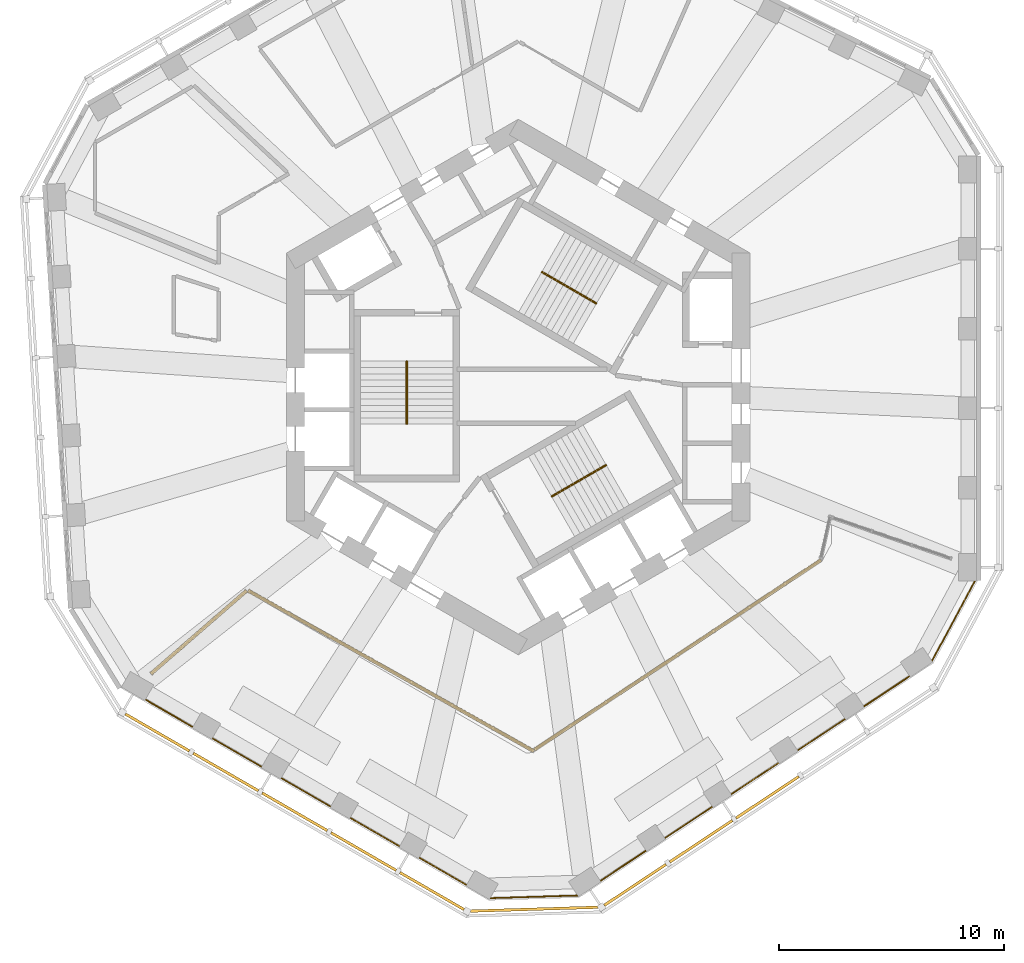
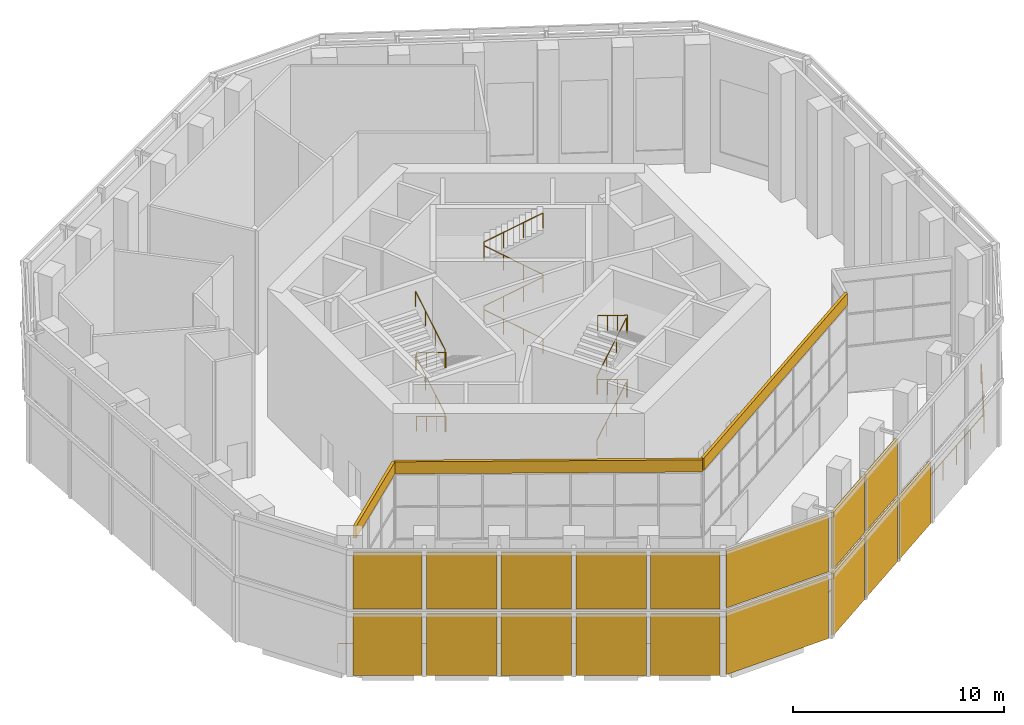
# One storey, part 15 of 17: 17 shading devices, 4 railings, 3 coverings.
"""IFC4 building model written with IfcOpenShell, lengths in metres."""

from ifc_helpers import new_model, si_unit, direction, frame, origin, origin_2d, place, context, subcontext, project, spatial, rectangle, circle, extrude, material, layer, layer_set, type_object, element, save


model = new_model("IFC4")

# Units and contexts
model_context = context("Model", 3, precision=1e-05, world=origin(), true_north=direction((0.0, 1.0)))
body_context = subcontext(model_context, "Body", "Model", "MODEL_VIEW")
ifc_project = project(units=[si_unit("LENGTHUNIT", "METRE"), si_unit("AREAUNIT", "SQUARE_METRE"), si_unit("VOLUMEUNIT", "CUBIC_METRE"), si_unit("PLANEANGLEUNIT", "RADIAN"), si_unit("MASSUNIT", "GRAM", prefix="KILO")], contexts=[model_context])

# Site, building, storey
site_placement = place(None, origin())
site = spatial("IfcSite", under=ifc_project, at=site_placement, CompositionType="ELEMENT")
building_placement = place(site_placement, origin())
building = spatial("IfcBuilding", under=site, at=building_placement, Name="Vanh Sen Convention Tower", CompositionType="ELEMENT")
storey_placement = place(building_placement, frame((0.0, 0.0, 214.300048828125)))
storey = spatial("IfcBuildingStorey", under=building, at=storey_placement, Name="L53", CompositionType="ELEMENT", Elevation=214.300048828125)

# Railings
ifc_material_1 = material(Name="Stainless steel posts with toughened glass infill", Category="steel")
railing_type_1 = type_object("IfcRailingType", Name="Garden guard 1150", PredefinedType="GUARDRAIL", material=ifc_material_1)
railing_1_placement = place(storey_placement, frame((-17.563720703125, -13.300048828125, 0.0)))
element("IfcRailing", 1, at=railing_1_placement, inside=storey, type_object=railing_type_1, Name="Sky garden guard 1 L53", PredefinedType="GUARDRAIL", context=body_context, shape_type="SweptSolid", body=[
    extrude(circle(Radius=0.02392578125, at=origin_2d()), frame((0.0, 0.0, 1.1259765625), z_axis=(0.866029430186, -0.499993026003, 0.0), x_axis=(0.499993026003, 0.866029430186, 0.0)), (0.0, 0.0, 1.0), 18.797607421875),
    extrude(circle(Radius=0.02392578125, at=origin_2d()), frame((16.279296875, -9.398681640625, 1.1259765625), z_axis=(0.999532871929, 0.030562034196, 0.0), x_axis=(-0.030562034196, 0.999532871929, 0.0)), (0.0, 0.0, 1.0), 3.954345703125),
    extrude(circle(Radius=0.02392578125, at=origin_2d()), frame((20.231689453125, -9.27783203125, 1.1259765625), z_axis=(0.833890312154, 0.551930201471, 0.0), x_axis=(-0.551930201471, 0.833890312154, 0.0)), (0.0, 0.0, 1.0), 18.814453125),
    extrude(circle(Radius=0.02392578125, at=origin_2d()), frame((35.9208984375, 1.1064453125, 1.1259765625), z_axis=(0.473308712248, 0.880896624417, 0.0), x_axis=(-0.880896624417, 0.473308712248, 0.0)), (0.0, 0.0, 1.0), 4.10498046875),
    extrude(circle(Radius=0.02392578125, at=origin_2d()), frame((37.86376953125, 4.722412109375, 1.1259765625), z_axis=(0.0, 1.0, 0.0), x_axis=(-1.0, 0.0, 0.0)), (0.0, 0.0, 1.0), 0.01708984375),
    extrude(circle(Radius=0.02099609375, at=origin_2d()), origin(), (0.0, 0.0, 1.0), 1.101806640625),
    extrude(circle(Radius=0.02099609375, at=origin_2d()), frame((1.252197265625, -0.722900390625, 0.0)), (0.0, 0.0, 1.0), 1.101806640625),
    extrude(circle(Radius=0.02099609375, at=origin_2d()), frame((2.50439453125, -1.446044921875, 0.0)), (0.0, 0.0, 1.0), 1.101806640625),
    extrude(circle(Radius=0.02099609375, at=origin_2d()), frame((3.7568359375, -2.1689453125, 0.0)), (0.0, 0.0, 1.0), 1.101806640625),
    extrude(circle(Radius=0.02099609375, at=origin_2d()), frame((5.009033203125, -2.891845703125, 0.0)), (0.0, 0.0, 1.0), 1.101806640625),
    extrude(circle(Radius=0.02099609375, at=origin_2d()), frame((6.26123046875, -3.614990234375, 0.0)), (0.0, 0.0, 1.0), 1.101806640625),
    extrude(circle(Radius=0.02099609375, at=origin_2d()), frame((7.513427734375, -4.337890625, 0.0)), (0.0, 0.0, 1.0), 1.101806640625),
    extrude(circle(Radius=0.02099609375, at=origin_2d()), frame((8.765869140625, -5.060791015625, 0.0)), (0.0, 0.0, 1.0), 1.101806640625),
    extrude(circle(Radius=0.02099609375, at=origin_2d()), frame((10.01806640625, -5.78369140625, 0.0)), (0.0, 0.0, 1.0), 1.101806640625),
    extrude(circle(Radius=0.02099609375, at=origin_2d()), frame((11.270263671875, -6.5068359375, 0.0)), (0.0, 0.0, 1.0), 1.101806640625),
    extrude(circle(Radius=0.02099609375, at=origin_2d()), frame((12.5224609375, -7.229736328125, 0.0)), (0.0, 0.0, 1.0), 1.101806640625),
    extrude(circle(Radius=0.02099609375, at=origin_2d()), frame((13.77490234375, -7.95263671875, 0.0)), (0.0, 0.0, 1.0), 1.101806640625),
    extrude(circle(Radius=0.02099609375, at=origin_2d()), frame((15.027099609375, -8.67578125, 0.0)), (0.0, 0.0, 1.0), 1.101806640625),
    extrude(circle(Radius=0.02099609375, at=origin_2d()), frame((16.279296875, -9.398681640625, 0.0)), (0.0, 0.0, 1.0), 1.101806640625),
    extrude(circle(Radius=0.02099609375, at=origin_2d()), frame((17.5966796875, -9.3583984375, 0.0)), (0.0, 0.0, 1.0), 1.101806640625),
    extrude(circle(Radius=0.02099609375, at=origin_2d()), frame((18.914306640625, -9.318115234375, 0.0)), (0.0, 0.0, 1.0), 1.101806640625),
    extrude(circle(Radius=0.02099609375, at=origin_2d()), frame((20.231689453125, -9.27783203125, 0.0)), (0.0, 0.0, 1.0), 1.101806640625),
    extrude(circle(Radius=0.02099609375, at=origin_2d()), frame((21.4384765625, -8.47900390625, 0.0)), (0.0, 0.0, 1.0), 1.101806640625),
    extrude(circle(Radius=0.02099609375, at=origin_2d()), frame((22.6455078125, -7.68017578125, 0.0)), (0.0, 0.0, 1.0), 1.101806640625),
    extrude(circle(Radius=0.02099609375, at=origin_2d()), frame((23.852294921875, -6.88134765625, 0.0)), (0.0, 0.0, 1.0), 1.101806640625),
    extrude(circle(Radius=0.02099609375, at=origin_2d()), frame((25.05908203125, -6.082763671875, 0.0)), (0.0, 0.0, 1.0), 1.101806640625),
    extrude(circle(Radius=0.02099609375, at=origin_2d()), frame((26.26611328125, -5.283935546875, 0.0)), (0.0, 0.0, 1.0), 1.101806640625),
    extrude(circle(Radius=0.02099609375, at=origin_2d()), frame((27.472900390625, -4.485107421875, 0.0)), (0.0, 0.0, 1.0), 1.101806640625),
    extrude(circle(Radius=0.02099609375, at=origin_2d()), frame((28.6796875, -3.686279296875, 0.0)), (0.0, 0.0, 1.0), 1.101806640625),
    extrude(circle(Radius=0.02099609375, at=origin_2d()), frame((29.886474609375, -2.887451171875, 0.0)), (0.0, 0.0, 1.0), 1.101806640625),
    extrude(circle(Radius=0.02099609375, at=origin_2d()), frame((31.093505859375, -2.088623046875, 0.0)), (0.0, 0.0, 1.0), 1.101806640625),
    extrude(circle(Radius=0.02099609375, at=origin_2d()), frame((32.30029296875, -1.2900390625, 0.0)), (0.0, 0.0, 1.0), 1.101806640625),
    extrude(circle(Radius=0.02099609375, at=origin_2d()), frame((33.507080078125, -0.4912109375, 0.0)), (0.0, 0.0, 1.0), 1.101806640625),
    extrude(circle(Radius=0.02099609375, at=origin_2d()), frame((34.714111328125, 0.3076171875, 0.0)), (0.0, 0.0, 1.0), 1.101806640625),
    extrude(circle(Radius=0.02099609375, at=origin_2d()), frame((35.9208984375, 1.1064453125, 0.0)), (0.0, 0.0, 1.0), 1.101806640625),
    extrude(circle(Radius=0.02099609375, at=origin_2d()), frame((36.568603515625, 2.311767578125, 0.0)), (0.0, 0.0, 1.0), 1.101806640625),
    extrude(circle(Radius=0.02099609375, at=origin_2d()), frame((37.216064453125, 3.51708984375, 0.0)), (0.0, 0.0, 1.0), 1.101806640625),
    extrude(circle(Radius=0.02099609375, at=origin_2d()), frame((37.86376953125, 4.722412109375, 0.0)), (0.0, 0.0, 1.0), 1.101806640625),
    extrude(circle(Radius=0.02099609375, at=origin_2d()), frame((37.86376953125, 4.739501953125, 0.0)), (0.0, 0.0, 1.0), 1.101806640625),
])
ifc_material_2 = material(Name="Stainless steel handrail", Category="steel")
railing_type_2 = type_object("IfcRailingType", Name="Stair handrail 900", PredefinedType="HANDRAIL", material=ifc_material_2)
railing_2_placement = place(storey_placement, frame((3.45849609375, 3.690185546875, 0.168212890625)))
element("IfcRailing", 2, at=railing_2_placement, inside=storey, type_object=railing_type_2, Name="Stair handrail ST1 L53", PredefinedType="HANDRAIL", context=body_context, shape_type="SweptSolid", body=[
    extrude(circle(Radius=0.02392578125, at=origin_2d()), frame((0.0, 0.0, 0.8759765625), z_axis=(-0.74241905619, 0.428617687091, 0.514879426), x_axis=(-0.49998411664, -0.866034573852, 0.0)), (0.0, 0.0, 1.0), 3.26611328125),
    extrude(circle(Radius=0.02392578125, at=origin_2d()), frame((-2.4248046875, 1.39990234375, 2.5576171875), z_axis=(0.497188445666, 0.867642581652, 0.0), x_axis=(-0.867642581652, 0.497188445666, 0.0)), (0.0, 0.0, 1.0), 0.050048828125),
    extrude(circle(Radius=0.02392578125, at=origin_2d()), frame((-2.39990234375, 1.443359375, 2.5576171875), z_axis=(0.0, 0.0, 1.0), x_axis=(1.0, 0.0, 0.0)), (0.0, 0.0, 1.0), 0.168212890625),
    extrude(circle(Radius=0.02392578125, at=origin_2d()), frame((-2.39990234375, 1.443359375, 2.7255859375), z_axis=(0.742366697286, -0.42866220388, 0.514917859203), x_axis=(0.500049511043, 0.865996816683, 0.0)), (0.0, 0.0, 1.0), 3.266357421875),
    extrude(circle(Radius=0.02392578125, at=origin_2d()), frame((0.02490234375, 0.043212890625, 4.40771484375), z_axis=(-0.499298623879, -0.866429964967, 0.0), x_axis=(0.866429964967, -0.499298623879, 0.0)), (0.0, 0.0, 1.0), 0.0498046875),
    extrude(circle(Radius=0.02392578125, at=origin_2d()), frame((0.0, 0.0, 4.40771484375), z_axis=(0.0, 0.0, 1.0), x_axis=(1.0, 0.0, 0.0)), (0.0, 0.0, 1.0), 0.168212890625),
    extrude(circle(Radius=0.02392578125, at=origin_2d()), frame((0.0, 0.0, 4.57568359375), z_axis=(-0.742390482028, 0.42860119049, 0.514934356695), x_axis=(-0.49998411664, -0.866034573852, 0.0)), (0.0, 0.0, 1.0), 3.26611328125),
    extrude(circle(Radius=0.02392578125, at=origin_2d()), frame((-2.4248046875, 1.39990234375, 6.2578125), z_axis=(0.497188445666, 0.867642581652, 0.0), x_axis=(-0.867642581652, 0.497188445666, 0.0)), (0.0, 0.0, 1.0), 0.050048828125),
    extrude(circle(Radius=0.02392578125, at=origin_2d()), frame((-2.39990234375, 1.443359375, 6.2578125), z_axis=(0.0, 0.0, 1.0), x_axis=(1.0, 0.0, 0.0)), (0.0, 0.0, 1.0), 0.168212890625),
    extrude(circle(Radius=0.02392578125, at=origin_2d()), frame((-2.39990234375, 1.443359375, 6.42578125), z_axis=(0.742395268701, -0.428678701772, 0.514862928999), x_axis=(0.500049511043, 0.865996816683, 0.0)), (0.0, 0.0, 1.0), 3.26611328125),
    extrude(circle(Radius=0.02099609375, at=origin_2d()), origin(), (0.0, 0.0, 1.0), 0.851806640625),
    extrude(circle(Radius=0.02099609375, at=origin_2d()), frame((-0.808349609375, 0.466552734375, 0.560546875)), (0.0, 0.0, 1.0), 0.851806640625),
    extrude(circle(Radius=0.02099609375, at=origin_2d()), frame((-1.616455078125, 0.933349609375, 1.12109375)), (0.0, 0.0, 1.0), 0.851806640625),
    extrude(circle(Radius=0.02099609375, at=origin_2d()), frame((-2.4248046875, 1.39990234375, 1.681640625)), (0.0, 0.0, 1.0), 0.851806640625),
    extrude(circle(Radius=0.02099609375, at=origin_2d()), frame((-2.39990234375, 1.443359375, 1.681640625)), (0.0, 0.0, 1.0), 0.851806640625),
    extrude(circle(Radius=0.02099609375, at=origin_2d()), frame((-2.39990234375, 1.443359375, 1.849853515625)), (0.0, 0.0, 1.0), 0.851806640625),
    extrude(circle(Radius=0.02099609375, at=origin_2d()), frame((-1.591552734375, 0.9765625, 2.410400390625)), (0.0, 0.0, 1.0), 0.851806640625),
    extrude(circle(Radius=0.02099609375, at=origin_2d()), frame((-0.783447265625, 0.510009765625, 2.97119140625)), (0.0, 0.0, 1.0), 0.851806640625),
    extrude(circle(Radius=0.02099609375, at=origin_2d()), frame((0.02490234375, 0.043212890625, 3.53173828125)), (0.0, 0.0, 1.0), 0.851806640625),
    extrude(circle(Radius=0.02099609375, at=origin_2d()), frame((0.0, 0.0, 3.53173828125)), (0.0, 0.0, 1.0), 0.851806640625),
    extrude(circle(Radius=0.02099609375, at=origin_2d()), frame((0.0, 0.0, 3.699951171875)), (0.0, 0.0, 1.0), 0.851806640625),
    extrude(circle(Radius=0.02099609375, at=origin_2d()), frame((-0.808349609375, 0.466552734375, 4.260498046875)), (0.0, 0.0, 1.0), 0.851806640625),
    extrude(circle(Radius=0.02099609375, at=origin_2d()), frame((-1.616455078125, 0.933349609375, 4.8212890625)), (0.0, 0.0, 1.0), 0.851806640625),
    extrude(circle(Radius=0.02099609375, at=origin_2d()), frame((-2.4248046875, 1.39990234375, 5.3818359375)), (0.0, 0.0, 1.0), 0.851806640625),
    extrude(circle(Radius=0.02099609375, at=origin_2d()), frame((-2.39990234375, 1.443359375, 5.3818359375)), (0.0, 0.0, 1.0), 0.851806640625),
    extrude(circle(Radius=0.02099609375, at=origin_2d()), frame((-2.39990234375, 1.443359375, 5.550048828125)), (0.0, 0.0, 1.0), 0.851806640625),
    extrude(circle(Radius=0.02099609375, at=origin_2d()), frame((-1.591552734375, 0.9765625, 6.110595703125)), (0.0, 0.0, 1.0), 0.851806640625),
    extrude(circle(Radius=0.02099609375, at=origin_2d()), frame((-0.783447265625, 0.510009765625, 6.671142578125)), (0.0, 0.0, 1.0), 0.851806640625),
    extrude(circle(Radius=0.02099609375, at=origin_2d()), frame((0.02490234375, 0.043212890625, 7.231689453125)), (0.0, 0.0, 1.0), 0.851806640625),
])
railing_3_placement = place(storey_placement, frame((-4.925048828125, 1.14990234375, 0.168212890625)))
element("IfcRailing", 3, at=railing_3_placement, inside=storey, type_object=railing_type_2, Name="Stair handrail ST2 L53", PredefinedType="HANDRAIL", context=body_context, shape_type="SweptSolid", body=[
    extrude(circle(Radius=0.02392578125, at=origin_2d()), frame((0.0, 0.0, 0.8759765625), z_axis=(0.0, -0.857255387014, 0.514891446264), x_axis=(1.0, 0.0, 0.0)), (0.0, 0.0, 1.0), 3.26611328125),
    extrude(circle(Radius=0.02392578125, at=origin_2d()), frame((0.0, -2.7998046875, 2.5576171875), z_axis=(-1.0, 0.0, 0.0), x_axis=(0.0, -1.0, 0.0)), (0.0, 0.0, 1.0), 0.050048828125),
    extrude(circle(Radius=0.02392578125, at=origin_2d()), frame((-0.050048828125, -2.7998046875, 2.5576171875), z_axis=(0.0, 0.0, 1.0), x_axis=(1.0, 0.0, 0.0)), (0.0, 0.0, 1.0), 0.168212890625),
    extrude(circle(Radius=0.02392578125, at=origin_2d()), frame((-0.050048828125, -2.7998046875, 2.7255859375), z_axis=(0.0, 0.857222391501, 0.514946377315), x_axis=(-1.0, 0.0, 0.0)), (0.0, 0.0, 1.0), 3.26611328125),
    extrude(circle(Radius=0.02392578125, at=origin_2d()), frame((-0.050048828125, 0.0, 4.40771484375), z_axis=(1.0, 0.0, 0.0), x_axis=(0.0, 1.0, 0.0)), (0.0, 0.0, 1.0), 0.050048828125),
    extrude(circle(Radius=0.02392578125, at=origin_2d()), frame((0.0, 0.0, 4.40771484375), z_axis=(0.0, 0.0, 1.0), x_axis=(1.0, 0.0, 0.0)), (0.0, 0.0, 1.0), 0.168212890625),
    extrude(circle(Radius=0.02392578125, at=origin_2d()), frame((0.0, 0.0, 4.57568359375), z_axis=(0.0, -0.857222391501, 0.514946377315), x_axis=(1.0, 0.0, 0.0)), (0.0, 0.0, 1.0), 3.26611328125),
    extrude(circle(Radius=0.02392578125, at=origin_2d()), frame((0.0, -2.7998046875, 6.2578125), z_axis=(-1.0, 0.0, 0.0), x_axis=(0.0, -1.0, 0.0)), (0.0, 0.0, 1.0), 0.050048828125),
    extrude(circle(Radius=0.02392578125, at=origin_2d()), frame((-0.050048828125, -2.7998046875, 6.2578125), z_axis=(0.0, 0.0, 1.0), x_axis=(1.0, 0.0, 0.0)), (0.0, 0.0, 1.0), 0.168212890625),
    extrude(circle(Radius=0.02392578125, at=origin_2d()), frame((-0.050048828125, -2.7998046875, 6.42578125), z_axis=(0.0, 0.857255387014, 0.514891446264), x_axis=(-1.0, 0.0, 0.0)), (0.0, 0.0, 1.0), 3.26611328125),
    extrude(circle(Radius=0.02099609375, at=origin_2d()), origin(), (0.0, 0.0, 1.0), 0.851806640625),
    extrude(circle(Radius=0.02099609375, at=origin_2d()), frame((0.0, -0.933349609375, 0.560546875)), (0.0, 0.0, 1.0), 0.851806640625),
    extrude(circle(Radius=0.02099609375, at=origin_2d()), frame((0.0, -1.866455078125, 1.12109375)), (0.0, 0.0, 1.0), 0.851806640625),
    extrude(circle(Radius=0.02099609375, at=origin_2d()), frame((0.0, -2.7998046875, 1.681640625)), (0.0, 0.0, 1.0), 0.851806640625),
    extrude(circle(Radius=0.02099609375, at=origin_2d()), frame((-0.050048828125, -2.7998046875, 1.681640625)), (0.0, 0.0, 1.0), 0.851806640625),
    extrude(circle(Radius=0.02099609375, at=origin_2d()), frame((-0.050048828125, -2.7998046875, 1.849853515625)), (0.0, 0.0, 1.0), 0.851806640625),
    extrude(circle(Radius=0.02099609375, at=origin_2d()), frame((-0.050048828125, -1.866455078125, 2.410400390625)), (0.0, 0.0, 1.0), 0.851806640625),
    extrude(circle(Radius=0.02099609375, at=origin_2d()), frame((-0.050048828125, -0.933349609375, 2.97119140625)), (0.0, 0.0, 1.0), 0.851806640625),
    extrude(circle(Radius=0.02099609375, at=origin_2d()), frame((-0.050048828125, 0.0, 3.53173828125)), (0.0, 0.0, 1.0), 0.851806640625),
    extrude(circle(Radius=0.02099609375, at=origin_2d()), frame((0.0, 0.0, 3.53173828125)), (0.0, 0.0, 1.0), 0.851806640625),
    extrude(circle(Radius=0.02099609375, at=origin_2d()), frame((0.0, 0.0, 3.699951171875)), (0.0, 0.0, 1.0), 0.851806640625),
    extrude(circle(Radius=0.02099609375, at=origin_2d()), frame((0.0, -0.933349609375, 4.260498046875)), (0.0, 0.0, 1.0), 0.851806640625),
    extrude(circle(Radius=0.02099609375, at=origin_2d()), frame((0.0, -1.866455078125, 4.8212890625)), (0.0, 0.0, 1.0), 0.851806640625),
    extrude(circle(Radius=0.02099609375, at=origin_2d()), frame((0.0, -2.7998046875, 5.3818359375)), (0.0, 0.0, 1.0), 0.851806640625),
    extrude(circle(Radius=0.02099609375, at=origin_2d()), frame((-0.050048828125, -2.7998046875, 5.3818359375)), (0.0, 0.0, 1.0), 0.851806640625),
    extrude(circle(Radius=0.02099609375, at=origin_2d()), frame((-0.050048828125, -2.7998046875, 5.550048828125)), (0.0, 0.0, 1.0), 0.851806640625),
    extrude(circle(Radius=0.02099609375, at=origin_2d()), frame((-0.050048828125, -1.866455078125, 6.110595703125)), (0.0, 0.0, 1.0), 0.851806640625),
    extrude(circle(Radius=0.02099609375, at=origin_2d()), frame((-0.050048828125, -0.933349609375, 6.671142578125)), (0.0, 0.0, 1.0), 0.851806640625),
    extrude(circle(Radius=0.02099609375, at=origin_2d()), frame((-0.050048828125, 0.0, 7.231689453125)), (0.0, 0.0, 1.0), 0.851806640625),
])
railing_4_placement = place(storey_placement, frame((1.466552734375, -4.840087890625, 0.168212890625)))
element("IfcRailing", 4, at=railing_4_placement, inside=storey, type_object=railing_type_2, Name="Stair handrail ST3 L53", PredefinedType="HANDRAIL", context=body_context, shape_type="SweptSolid", body=[
    extrude(circle(Radius=0.02392578125, at=origin_2d()), frame((0.0, 0.0, 0.8759765625), z_axis=(0.74241905619, 0.428617687091, 0.514879426), x_axis=(-0.49998411664, 0.866034573852, 0.0)), (0.0, 0.0, 1.0), 3.26611328125),
    extrude(circle(Radius=0.02392578125, at=origin_2d()), frame((2.4248046875, 1.39990234375, 2.5576171875), z_axis=(0.502959906984, -0.86430974307, 0.0), x_axis=(0.86430974307, 0.502959906984, 0.0)), (0.0, 0.0, 1.0), 0.050048828125),
    extrude(circle(Radius=0.02392578125, at=origin_2d()), frame((2.449951171875, 1.356689453125, 2.5576171875), z_axis=(0.0, 0.0, 1.0), x_axis=(1.0, 0.0, 0.0)), (0.0, 0.0, 1.0), 0.168212890625),
    extrude(circle(Radius=0.02392578125, at=origin_2d()), frame((2.449951171875, 1.356689453125, 2.7255859375), z_axis=(-0.742366697286, -0.42866220388, 0.514917859203), x_axis=(0.500049511043, -0.865996816683, 0.0)), (0.0, 0.0, 1.0), 3.266357421875),
    extrude(circle(Radius=0.02392578125, at=origin_2d()), frame((0.025146484375, -0.04345703125, 4.40771484375), z_axis=(-0.500844580232, 0.86553723574, 0.0), x_axis=(-0.86553723574, -0.500844580232, 0.0)), (0.0, 0.0, 1.0), 0.05029296875),
    extrude(circle(Radius=0.02392578125, at=origin_2d()), frame((0.0, 0.0, 4.40771484375), z_axis=(0.0, 0.0, 1.0), x_axis=(1.0, 0.0, 0.0)), (0.0, 0.0, 1.0), 0.168212890625),
    extrude(circle(Radius=0.02392578125, at=origin_2d()), frame((0.0, 0.0, 4.57568359375), z_axis=(0.742390482028, 0.42860119049, 0.514934356695), x_axis=(-0.49998411664, 0.866034573852, 0.0)), (0.0, 0.0, 1.0), 3.26611328125),
    extrude(circle(Radius=0.02392578125, at=origin_2d()), frame((2.4248046875, 1.39990234375, 6.2578125), z_axis=(0.502959906984, -0.86430974307, 0.0), x_axis=(0.86430974307, 0.502959906984, 0.0)), (0.0, 0.0, 1.0), 0.050048828125),
    extrude(circle(Radius=0.02392578125, at=origin_2d()), frame((2.449951171875, 1.356689453125, 6.2578125), z_axis=(0.0, 0.0, 1.0), x_axis=(1.0, 0.0, 0.0)), (0.0, 0.0, 1.0), 0.168212890625),
    extrude(circle(Radius=0.02392578125, at=origin_2d()), frame((2.449951171875, 1.356689453125, 6.42578125), z_axis=(-0.742395268701, -0.428678701772, 0.514862928999), x_axis=(0.500049511043, -0.865996816683, 0.0)), (0.0, 0.0, 1.0), 3.26611328125),
    extrude(circle(Radius=0.02099609375, at=origin_2d()), origin(), (0.0, 0.0, 1.0), 0.851806640625),
    extrude(circle(Radius=0.02099609375, at=origin_2d()), frame((0.808349609375, 0.466552734375, 0.560546875)), (0.0, 0.0, 1.0), 0.851806640625),
    extrude(circle(Radius=0.02099609375, at=origin_2d()), frame((1.616455078125, 0.933349609375, 1.12109375)), (0.0, 0.0, 1.0), 0.851806640625),
    extrude(circle(Radius=0.02099609375, at=origin_2d()), frame((2.4248046875, 1.39990234375, 1.681640625)), (0.0, 0.0, 1.0), 0.851806640625),
    extrude(circle(Radius=0.02099609375, at=origin_2d()), frame((2.449951171875, 1.356689453125, 1.681640625)), (0.0, 0.0, 1.0), 0.851806640625),
    extrude(circle(Radius=0.02099609375, at=origin_2d()), frame((2.449951171875, 1.356689453125, 1.849853515625)), (0.0, 0.0, 1.0), 0.851806640625),
    extrude(circle(Radius=0.02099609375, at=origin_2d()), frame((1.6416015625, 0.889892578125, 2.410400390625)), (0.0, 0.0, 1.0), 0.851806640625),
    extrude(circle(Radius=0.02099609375, at=origin_2d()), frame((0.83349609375, 0.42333984375, 2.97119140625)), (0.0, 0.0, 1.0), 0.851806640625),
    extrude(circle(Radius=0.02099609375, at=origin_2d()), frame((0.025146484375, -0.04345703125, 3.53173828125)), (0.0, 0.0, 1.0), 0.851806640625),
    extrude(circle(Radius=0.02099609375, at=origin_2d()), frame((0.0, 0.0, 3.53173828125)), (0.0, 0.0, 1.0), 0.851806640625),
    extrude(circle(Radius=0.02099609375, at=origin_2d()), frame((0.0, 0.0, 3.699951171875)), (0.0, 0.0, 1.0), 0.851806640625),
    extrude(circle(Radius=0.02099609375, at=origin_2d()), frame((0.808349609375, 0.466552734375, 4.260498046875)), (0.0, 0.0, 1.0), 0.851806640625),
    extrude(circle(Radius=0.02099609375, at=origin_2d()), frame((1.616455078125, 0.933349609375, 4.8212890625)), (0.0, 0.0, 1.0), 0.851806640625),
    extrude(circle(Radius=0.02099609375, at=origin_2d()), frame((2.4248046875, 1.39990234375, 5.3818359375)), (0.0, 0.0, 1.0), 0.851806640625),
    extrude(circle(Radius=0.02099609375, at=origin_2d()), frame((2.449951171875, 1.356689453125, 5.3818359375)), (0.0, 0.0, 1.0), 0.851806640625),
    extrude(circle(Radius=0.02099609375, at=origin_2d()), frame((2.449951171875, 1.356689453125, 5.550048828125)), (0.0, 0.0, 1.0), 0.851806640625),
    extrude(circle(Radius=0.02099609375, at=origin_2d()), frame((1.6416015625, 0.889892578125, 6.110595703125)), (0.0, 0.0, 1.0), 0.851806640625),
    extrude(circle(Radius=0.02099609375, at=origin_2d()), frame((0.83349609375, 0.42333984375, 6.671142578125)), (0.0, 0.0, 1.0), 0.851806640625),
    extrude(circle(Radius=0.02099609375, at=origin_2d()), frame((0.025146484375, -0.04345703125, 7.231689453125)), (0.0, 0.0, 1.0), 0.851806640625),
])

# Shading devices
ifc_material_3 = material(Name="Concrete C50/60", Category="concrete")
ifc_layer_1 = layer(ifc_material_3, 0.1201171875)
ifc_layer_set_1 = layer_set([ifc_layer_1], Name="Concrete C50/60")
shading_device_type = type_object("IfcShadingDeviceType", Name="Sun-screen louvre 120", PredefinedType="USERDEFINED", material=ifc_layer_set_1)
shading_device_1_placement = place(storey_placement, frame((-16.02880859375, -15.3408203125, 0.0), z_axis=(0.0, 0.0, 1.0), x_axis=(0.866026276448, -0.4999984885, 0.0)))
element("IfcShadingDevice", 5, at=shading_device_1_placement, inside=storey, type_object=shading_device_type, Name="OUTER SKIN sun-screen louvre SW-1", ObjectType="LOUVRE", PredefinedType="USERDEFINED", context=body_context, shape_type="SweptSolid", body=[
    extrude(rectangle(XDim=3.28369140625, YDim=0.1201171875, at=origin_2d()), origin(), (0.0, 0.0, 1.0), 3.550048828125),
])
shading_device_2_placement = place(storey_placement, frame((-16.02880859375, -15.3408203125, 3.849853515625), z_axis=(0.0, 0.0, 1.0), x_axis=(0.866026276448, -0.4999984885, 0.0)))
element("IfcShadingDevice", 6, at=shading_device_2_placement, inside=storey, type_object=shading_device_type, Name="OUTER SKIN sun-screen louvre SW-1", ObjectType="LOUVRE", PredefinedType="USERDEFINED", context=body_context, shape_type="SweptSolid", body=[
    extrude(rectangle(XDim=3.28369140625, YDim=0.1201171875, at=origin_2d()), origin(), (0.0, 0.0, 1.0), 3.25),
])
shading_device_3_placement = place(storey_placement, frame((-12.990234375, -17.09521484375, 0.0), z_axis=(0.0, 0.0, 1.0), x_axis=(0.866026276448, -0.4999984885, 0.0)))
element("IfcShadingDevice", 7, at=shading_device_3_placement, inside=storey, type_object=shading_device_type, Name="OUTER SKIN sun-screen louvre SW-2", ObjectType="LOUVRE", PredefinedType="USERDEFINED", context=body_context, shape_type="SweptSolid", body=[
    extrude(rectangle(XDim=3.33349609375, YDim=0.1201171875, at=origin_2d()), origin(), (0.0, 0.0, 1.0), 3.550048828125),
])
shading_device_4_placement = place(storey_placement, frame((-12.990234375, -17.09521484375, 3.849853515625), z_axis=(0.0, 0.0, 1.0), x_axis=(0.866026276448, -0.4999984885, 0.0)))
element("IfcShadingDevice", 8, at=shading_device_4_placement, inside=storey, type_object=shading_device_type, Name="OUTER SKIN sun-screen louvre SW-2", ObjectType="LOUVRE", PredefinedType="USERDEFINED", context=body_context, shape_type="SweptSolid", body=[
    extrude(rectangle(XDim=3.33349609375, YDim=0.1201171875, at=origin_2d()), origin(), (0.0, 0.0, 1.0), 3.25),
])
shading_device_5_placement = place(storey_placement, frame((-9.93017578125, -18.862060546875, 0.0), z_axis=(0.0, 0.0, 1.0), x_axis=(0.866014058921, -0.500019649364, 0.0)))
element("IfcShadingDevice", 9, at=shading_device_5_placement, inside=storey, type_object=shading_device_type, Name="OUTER SKIN sun-screen louvre SW-3", ObjectType="LOUVRE", PredefinedType="USERDEFINED", context=body_context, shape_type="SweptSolid", body=[
    extrude(rectangle(XDim=3.333740234375, YDim=0.1201171875, at=origin_2d()), origin(), (0.0, 0.0, 1.0), 3.550048828125),
])
shading_device_6_placement = place(storey_placement, frame((-9.93017578125, -18.862060546875, 3.849853515625), z_axis=(0.0, 0.0, 1.0), x_axis=(0.866014058921, -0.500019649364, 0.0)))
element("IfcShadingDevice", 10, at=shading_device_6_placement, inside=storey, type_object=shading_device_type, Name="OUTER SKIN sun-screen louvre SW-3", ObjectType="LOUVRE", PredefinedType="USERDEFINED", context=body_context, shape_type="SweptSolid", body=[
    extrude(rectangle(XDim=3.333740234375, YDim=0.1201171875, at=origin_2d()), origin(), (0.0, 0.0, 1.0), 3.25),
])
shading_device_7_placement = place(storey_placement, frame((-6.869873046875, -20.62890625, 0.0), z_axis=(0.0, 0.0, 1.0), x_axis=(0.866026276448, -0.4999984885, 0.0)))
element("IfcShadingDevice", 11, at=shading_device_7_placement, inside=storey, type_object=shading_device_type, Name="OUTER SKIN sun-screen louvre SW-4", ObjectType="LOUVRE", PredefinedType="USERDEFINED", context=body_context, shape_type="SweptSolid", body=[
    extrude(rectangle(XDim=3.33349609375, YDim=0.1201171875, at=origin_2d()), origin(), (0.0, 0.0, 1.0), 3.550048828125),
])
shading_device_8_placement = place(storey_placement, frame((-6.869873046875, -20.62890625, 3.849853515625), z_axis=(0.0, 0.0, 1.0), x_axis=(0.866026276448, -0.4999984885, 0.0)))
element("IfcShadingDevice", 12, at=shading_device_8_placement, inside=storey, type_object=shading_device_type, Name="OUTER SKIN sun-screen louvre SW-4", ObjectType="LOUVRE", PredefinedType="USERDEFINED", context=body_context, shape_type="SweptSolid", body=[
    extrude(rectangle(XDim=3.33349609375, YDim=0.1201171875, at=origin_2d()), origin(), (0.0, 0.0, 1.0), 3.25),
])
shading_device_9_placement = place(storey_placement, frame((-3.831298828125, -22.383056640625, 0.0), z_axis=(0.0, 0.0, 1.0), x_axis=(0.866033257659, -0.499986396443, 0.0)))
element("IfcShadingDevice", 13, at=shading_device_9_placement, inside=storey, type_object=shading_device_type, Name="OUTER SKIN sun-screen louvre SW-5", ObjectType="LOUVRE", PredefinedType="USERDEFINED", context=body_context, shape_type="SweptSolid", body=[
    extrude(rectangle(XDim=3.28369140625, YDim=0.1201171875, at=origin_2d()), origin(), (0.0, 0.0, 1.0), 3.550048828125),
])
shading_device_10_placement = place(storey_placement, frame((-3.831298828125, -22.383056640625, 3.849853515625), z_axis=(0.0, 0.0, 1.0), x_axis=(0.866033257659, -0.499986396443, 0.0)))
element("IfcShadingDevice", 14, at=shading_device_10_placement, inside=storey, type_object=shading_device_type, Name="OUTER SKIN sun-screen louvre SW-5", ObjectType="LOUVRE", PredefinedType="USERDEFINED", context=body_context, shape_type="SweptSolid", body=[
    extrude(rectangle(XDim=3.28369140625, YDim=0.1201171875, at=origin_2d()), origin(), (0.0, 0.0, 1.0), 3.25),
])
shading_device_11_placement = place(storey_placement, frame((0.70849609375, -23.187744140625, 0.0), z_axis=(0.0, 0.0, 1.0), x_axis=(0.999533537535, 0.030540257725, 0.0)))
element("IfcShadingDevice", 15, at=shading_device_11_placement, inside=storey, type_object=shading_device_type, Name="OUTER SKIN sun-screen louvre CH5-1", ObjectType="LOUVRE", PredefinedType="USERDEFINED", context=body_context, shape_type="SweptSolid", body=[
    extrude(rectangle(XDim=5.6787109375, YDim=0.1201171875, at=origin_2d()), origin(), (0.0, 0.0, 1.0), 3.550048828125),
])
shading_device_12_placement = place(storey_placement, frame((0.70849609375, -23.187744140625, 3.849853515625), z_axis=(0.0, 0.0, 1.0), x_axis=(0.999533537535, 0.030540257725, 0.0)))
element("IfcShadingDevice", 16, at=shading_device_12_placement, inside=storey, type_object=shading_device_type, Name="OUTER SKIN sun-screen louvre CH5-1", ObjectType="LOUVRE", PredefinedType="USERDEFINED", context=body_context, shape_type="SweptSolid", body=[
    extrude(rectangle(XDim=5.6787109375, YDim=0.1201171875, at=origin_2d()), origin(), (0.0, 0.0, 1.0), 3.25),
])
shading_device_13_placement = place(storey_placement, frame((5.190673828125, -22.107421875, 0.0), z_axis=(0.0, 0.0, 1.0), x_axis=(0.833896418343, 0.551920975752, 0.0)))
element("IfcShadingDevice", 17, at=shading_device_13_placement, inside=storey, type_object=shading_device_type, Name="OUTER SKIN sun-screen louvre SE-1", ObjectType="LOUVRE", PredefinedType="USERDEFINED", context=body_context, shape_type="SweptSolid", body=[
    extrude(rectangle(XDim=3.28369140625, YDim=0.1201171875, at=origin_2d()), origin(), (0.0, 0.0, 1.0), 3.550048828125),
])
shading_device_14_placement = place(storey_placement, frame((5.190673828125, -22.107421875, 3.849853515625), z_axis=(0.0, 0.0, 1.0), x_axis=(0.833896418343, 0.551920975752, 0.0)))
element("IfcShadingDevice", 18, at=shading_device_14_placement, inside=storey, type_object=shading_device_type, Name="OUTER SKIN sun-screen louvre SE-1", ObjectType="LOUVRE", PredefinedType="USERDEFINED", context=body_context, shape_type="SweptSolid", body=[
    extrude(rectangle(XDim=3.28369140625, YDim=0.1201171875, at=origin_2d()), origin(), (0.0, 0.0, 1.0), 3.25),
])
shading_device_15_placement = place(storey_placement, frame((8.116455078125, -20.1708984375, 0.0), z_axis=(0.0, 0.0, 1.0), x_axis=(0.833874262143, 0.551954450055, 0.0)))
element("IfcShadingDevice", 19, at=shading_device_15_placement, inside=storey, type_object=shading_device_type, Name="OUTER SKIN sun-screen louvre SE-2", ObjectType="LOUVRE", PredefinedType="USERDEFINED", context=body_context, shape_type="SweptSolid", body=[
    extrude(rectangle(XDim=3.33349609375, YDim=0.1201171875, at=origin_2d()), origin(), (0.0, 0.0, 1.0), 3.550048828125),
])
shading_device_16_placement = place(storey_placement, frame((8.116455078125, -20.1708984375, 3.849853515625), z_axis=(0.0, 0.0, 1.0), x_axis=(0.833874262143, 0.551954450055, 0.0)))
element("IfcShadingDevice", 20, at=shading_device_16_placement, inside=storey, type_object=shading_device_type, Name="OUTER SKIN sun-screen louvre SE-2", ObjectType="LOUVRE", PredefinedType="USERDEFINED", context=body_context, shape_type="SweptSolid", body=[
    extrude(rectangle(XDim=3.33349609375, YDim=0.1201171875, at=origin_2d()), origin(), (0.0, 0.0, 1.0), 3.25),
])
shading_device_17_placement = place(storey_placement, frame((11.06298828125, -18.220703125, 0.0), z_axis=(0.0, 0.0, 1.0), x_axis=(0.833896418343, 0.551920975752, 0.0)))
element("IfcShadingDevice", 21, at=shading_device_17_placement, inside=storey, type_object=shading_device_type, Name="OUTER SKIN sun-screen louvre SE-3", ObjectType="LOUVRE", PredefinedType="USERDEFINED", context=body_context, shape_type="SweptSolid", body=[
    extrude(rectangle(XDim=3.333740234375, YDim=0.1201171875, at=origin_2d()), origin(), (0.0, 0.0, 1.0), 3.550048828125),
])

# Coverings
ifc_material_4 = material(Name="Insulated aluminium composite panel", Category="aluminium")
ifc_layer_2 = layer(ifc_material_4, 0.14990234375)
ifc_layer_set_2 = layer_set([ifc_layer_2], Name="Insulated aluminium composite panel")
covering_type = type_object("IfcCoveringType", Name="Winter garden head cladding 150", PredefinedType="CLADDING", material=ifc_layer_set_2)
covering_1_placement = place(storey_placement, frame((7.08251953125, -11.891357421875, 6.419921875), z_axis=(0.0, 0.0, 1.0), x_axis=(-0.833886785378, -0.551935529906, 0.0)))
element("IfcCovering", 22, at=covering_1_placement, inside=storey, type_object=covering_type, Name="Winter garden head cladding 3 L53", PredefinedType="CLADDING", context=body_context, shape_type="SweptSolid", body=[
    extrude(rectangle(XDim=15.248779296875, YDim=0.14990234375, at=origin_2d()), origin(), (0.0, 0.0, 1.0), 0.699951171875),
])
covering_2_placement = place(storey_placement, frame((-5.652099609375, -12.605224609375, 6.419921875), z_axis=(0.0, 0.0, 1.0), x_axis=(-0.871652994447, 0.490123512262, 0.0)))
element("IfcCovering", 23, at=covering_2_placement, inside=storey, type_object=covering_type, Name="Winter garden head cladding 4 L53", PredefinedType="CLADDING", context=body_context, shape_type="SweptSolid", body=[
    extrude(rectangle(XDim=14.5517578125, YDim=0.14990234375, at=origin_2d()), origin(), (0.0, 0.0, 1.0), 0.699951171875),
])
covering_3_placement = place(storey_placement, frame((-14.1923828125, -10.89013671875, 6.419921875), z_axis=(0.0, 0.0, 1.0), x_axis=(-0.754804610542, -0.65594969312, 0.0)))
element("IfcCovering", 24, at=covering_3_placement, inside=storey, type_object=covering_type, Name="Winter garden head cladding 5 L53", PredefinedType="CLADDING", context=body_context, shape_type="SweptSolid", body=[
    extrude(rectangle(XDim=5.619140625, YDim=0.14990234375, at=origin_2d()), origin(), (0.0, 0.0, 1.0), 0.699951171875),
])

save(model, "model.ifc")
